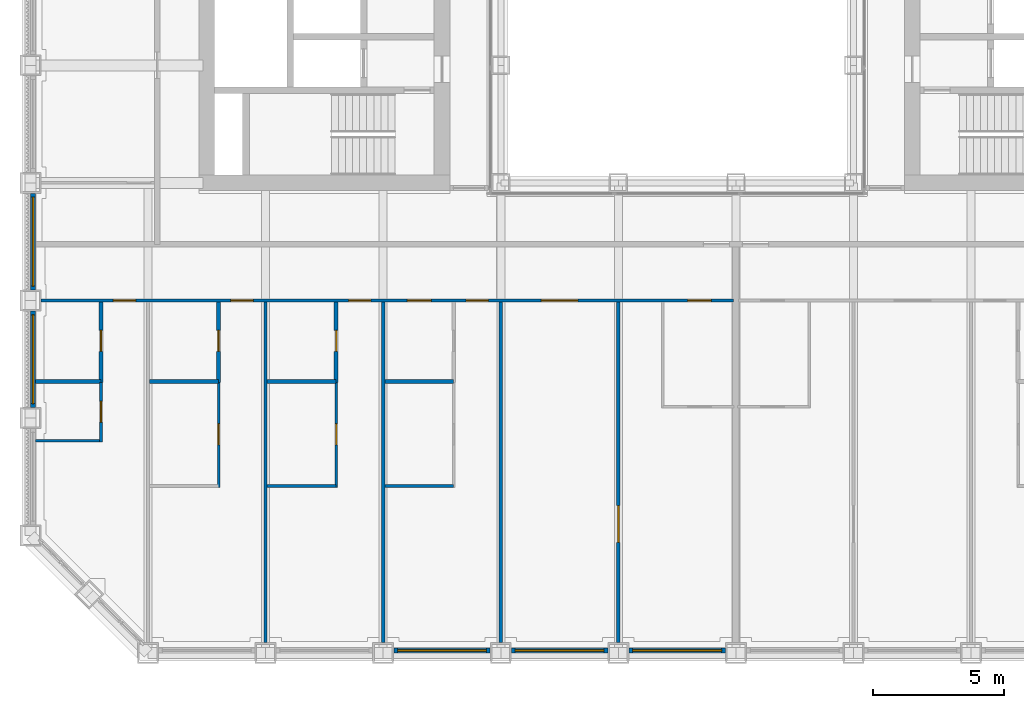
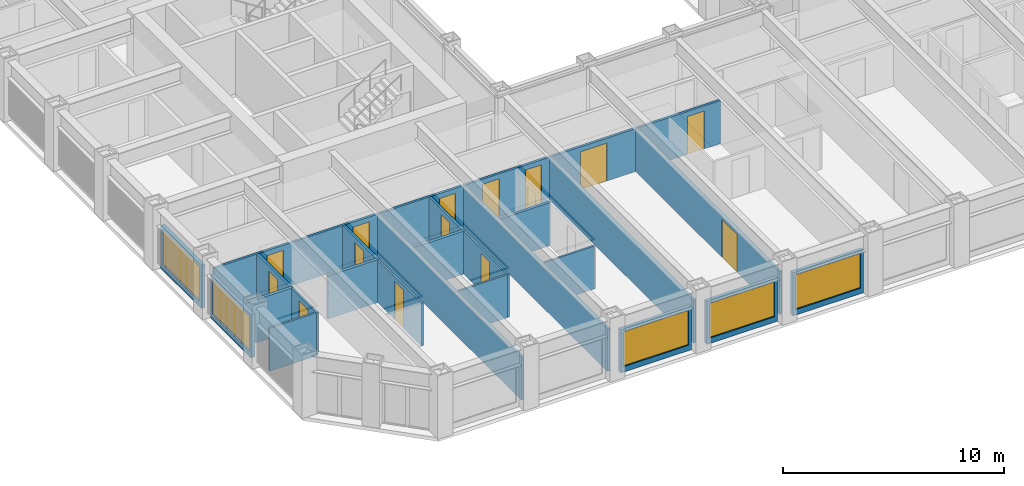
# One storey, part 9 of 21: 23 walls, 14 doors, 5 windows, 19 openings.
"""IFC4 building model written with IfcOpenShell, lengths in metres."""

from ifc_helpers import new_model, si_unit, direction, frame, frame_2d, origin, place, context, subcontext, project, spatial, rectangle, extrude, material, layer, layer_set, type_object, element, fill, save


model = new_model("IFC4")

# Units and contexts
model_context = context("Model", 3, precision=1e-05, world=origin(), true_north=direction((0.0, 1.0)))
body_context = subcontext(model_context, "Body", "Model", "MODEL_VIEW")
ifc_project = project(units=[si_unit("LENGTHUNIT", "METRE"), si_unit("AREAUNIT", "SQUARE_METRE"), si_unit("VOLUMEUNIT", "CUBIC_METRE"), si_unit("PLANEANGLEUNIT", "RADIAN"), si_unit("MASSUNIT", "GRAM", prefix="KILO")], contexts=[model_context])

# Site, building, storey
site_placement = place(None, origin())
site = spatial("IfcSite", under=ifc_project, at=site_placement, CompositionType="ELEMENT")
building_placement = place(site_placement, origin())
building = spatial("IfcBuilding", under=site, at=building_placement, Name="Msasa Ring Tower", CompositionType="ELEMENT")
storey_placement = place(building_placement, frame((0.0, 0.0, 79.0)))
storey = spatial("IfcBuildingStorey", under=building, at=storey_placement, Name="L20", CompositionType="ELEMENT", Elevation=79.0)

# Wall, opening, window
ifc_material_1 = material(Name="Terracotta rainscreen on blockwork", Category="masonry")
ifc_layer_1 = layer(ifc_material_1, 0.199951171875)
ifc_layer_set_1 = layer_set([ifc_layer_1], Name="FW1 TERRACOTTA-LINED INFILL BAY WALL 200")
wall_type_1 = type_object("IfcWallType", Name="FW1 TERRACOTTA-LINED INFILL BAY WALL 200", PredefinedType="SOLIDWALL", material=ifc_layer_set_1)
wall_1_placement = place(storey_placement, frame((-10.844970703125, -24.64990234375, 0.0), z_axis=(0.0, 0.0, 1.0), x_axis=(1.0, 0.0, 0.0)))
wall_1 = element("IfcWall", 1, at=wall_1_placement, inside=storey, type_object=wall_type_1, Name="Infill bay wall S L20 02", PredefinedType="SOLIDWALL", context=body_context, shape_type="SweptSolid", body=[
    extrude(rectangle(XDim=3.68994140625, YDim=0.199951171875, at=frame_2d((1.844970703125, 0.0))), origin(), (0.0, 0.0, 1.0), 2.37890625),
])
opening_1_placement = place(wall_1_placement, frame((0.14501953125, 0.0, 0.300048828125)))
opening_1 = element("IfcOpeningElement", 2, at=opening_1_placement, cuts=wall_1, Name="Opening WN1", PredefinedType="OPENING", context=body_context, shape_type="SweptSolid", body=[
    extrude(rectangle(XDim=3.39990234375, YDim=1.928955078125, at=frame_2d((1.699951171875, 0.96435546875))), frame((0.0, 0.10986328125, 0.0), z_axis=(0.0, -1.0, 0.0), x_axis=(1.0, 0.0, 0.0)), (0.0, 0.0, 1.0), 0.219970703125),
])
ifc_material_2 = material(Name="Aluminium frame with clear glass", Category="aluminium")
window_type = type_object("IfcWindowType", Name="WN1 RESIDENCE WINDOW 3400x1929", PartitioningType="SINGLE_PANEL", PredefinedType="WINDOW", material=ifc_material_2)
window_1_placement = place(opening_1_placement, origin())
window_1 = element("IfcWindow", 3, at=window_1_placement, inside=storey, type_object=window_type, Name="Window S L20 02", OverallHeight=1.928955078125, OverallWidth=3.39990234375, PartitioningType="SINGLE_PANEL", PredefinedType="WINDOW", context=body_context, shape_type="SweptSolid", body=[
    extrude(rectangle(XDim=3.39990234375, YDim=1.928955078125, at=frame_2d((1.699951171875, 0.96435546875))), frame((0.0, 0.030029296875, 0.0), z_axis=(0.0, -1.0, 0.0), x_axis=(1.0, 0.0, 0.0)), (0.0, 0.0, 1.0), 0.06005859375),
])
fill(opening_1, window_1)

wall_2_placement = place(storey_placement, frame((-6.344970703125, -24.64990234375, 0.0), z_axis=(0.0, 0.0, 1.0), x_axis=(1.0, 0.0, 0.0)))
wall_2 = element("IfcWall", 4, at=wall_2_placement, inside=storey, type_object=wall_type_1, Name="Infill bay wall S L20 03", PredefinedType="SOLIDWALL", context=body_context, shape_type="SweptSolid", body=[
    extrude(rectangle(XDim=3.68994140625, YDim=0.199951171875, at=frame_2d((1.844970703125, 0.0))), origin(), (0.0, 0.0, 1.0), 2.37890625),
])
opening_2_placement = place(wall_2_placement, frame((0.14501953125, 0.0, 0.300048828125)))
opening_2 = element("IfcOpeningElement", 5, at=opening_2_placement, cuts=wall_2, Name="Opening WN1", PredefinedType="OPENING", context=body_context, shape_type="SweptSolid", body=[
    extrude(rectangle(XDim=3.39990234375, YDim=1.928955078125, at=frame_2d((1.699951171875, 0.96435546875))), frame((0.0, 0.10986328125, 0.0), z_axis=(0.0, -1.0, 0.0), x_axis=(1.0, 0.0, 0.0)), (0.0, 0.0, 1.0), 0.219970703125),
])
window_2_placement = place(opening_2_placement, origin())
window_2 = element("IfcWindow", 6, at=window_2_placement, inside=storey, type_object=window_type, Name="Window S L20 03", OverallHeight=1.928955078125, OverallWidth=3.39990234375, PartitioningType="SINGLE_PANEL", PredefinedType="WINDOW", context=body_context, shape_type="SweptSolid", body=[
    extrude(rectangle(XDim=3.39990234375, YDim=1.928955078125, at=frame_2d((1.699951171875, 0.96435546875))), frame((0.0, 0.030029296875, 0.0), z_axis=(0.0, -1.0, 0.0), x_axis=(1.0, 0.0, 0.0)), (0.0, 0.0, 1.0), 0.06005859375),
])
fill(opening_2, window_2)

wall_3_placement = place(storey_placement, frame((-1.844970703125, -24.64990234375, 0.0), z_axis=(0.0, 0.0, 1.0), x_axis=(1.0, 0.0, 0.0)))
wall_3 = element("IfcWall", 7, at=wall_3_placement, inside=storey, type_object=wall_type_1, Name="Infill bay wall S L20 04", PredefinedType="SOLIDWALL", context=body_context, shape_type="SweptSolid", body=[
    extrude(rectangle(XDim=3.68994140625, YDim=0.199951171875, at=frame_2d((1.844970703125, 0.0))), origin(), (0.0, 0.0, 1.0), 2.37890625),
])
opening_3_placement = place(wall_3_placement, frame((0.14501953125, 0.0, 0.300048828125)))
opening_3 = element("IfcOpeningElement", 8, at=opening_3_placement, cuts=wall_3, Name="Opening WN1", PredefinedType="OPENING", context=body_context, shape_type="SweptSolid", body=[
    extrude(rectangle(XDim=3.39990234375, YDim=1.928955078125, at=frame_2d((1.699951171875, 0.96435546875))), frame((0.0, 0.10986328125, 0.0), z_axis=(0.0, -1.0, 0.0), x_axis=(1.0, 0.0, 0.0)), (0.0, 0.0, 1.0), 0.219970703125),
])
window_3_placement = place(opening_3_placement, origin())
window_3 = element("IfcWindow", 9, at=window_3_placement, inside=storey, type_object=window_type, Name="Window S L20 04", OverallHeight=1.928955078125, OverallWidth=3.39990234375, PartitioningType="SINGLE_PANEL", PredefinedType="WINDOW", context=body_context, shape_type="SweptSolid", body=[
    extrude(rectangle(XDim=3.39990234375, YDim=1.928955078125, at=frame_2d((1.699951171875, 0.96435546875))), frame((0.0, 0.030029296875, 0.0), z_axis=(0.0, -1.0, 0.0), x_axis=(1.0, 0.0, 0.0)), (0.0, 0.0, 1.0), 0.06005859375),
])
fill(opening_3, window_3)

wall_4_placement = place(storey_placement, frame((-24.64990234375, -15.344970703125, 0.0), z_axis=(0.0, 0.0, 1.0), x_axis=(0.0, 1.0, 0.0)))
wall_4 = element("IfcWall", 10, at=wall_4_placement, inside=storey, type_object=wall_type_1, Name="Infill bay wall W L20 34", PredefinedType="SOLIDWALL", context=body_context, shape_type="SweptSolid", body=[
    extrude(rectangle(XDim=3.68994140625, YDim=0.199951171875, at=frame_2d((1.844970703125, 0.0))), origin(), (0.0, 0.0, 1.0), 2.37890625),
])
opening_4_placement = place(wall_4_placement, frame((0.14501953125, 0.0, 0.300048828125)))
opening_4 = element("IfcOpeningElement", 11, at=opening_4_placement, cuts=wall_4, Name="Opening WN1", PredefinedType="OPENING", context=body_context, shape_type="SweptSolid", body=[
    extrude(rectangle(XDim=3.39990234375, YDim=1.928955078125, at=frame_2d((1.699951171875, 0.96435546875))), frame((0.0, 0.10986328125, 0.0), z_axis=(0.0, -1.0, 0.0), x_axis=(1.0, 0.0, 0.0)), (0.0, 0.0, 1.0), 0.219970703125),
])
window_4_placement = place(opening_4_placement, origin())
window_4 = element("IfcWindow", 12, at=window_4_placement, inside=storey, type_object=window_type, Name="Window W L20 34", OverallHeight=1.928955078125, OverallWidth=3.39990234375, PartitioningType="SINGLE_PANEL", PredefinedType="WINDOW", context=body_context, shape_type="SweptSolid", body=[
    extrude(rectangle(XDim=3.39990234375, YDim=1.928955078125, at=frame_2d((1.699951171875, 0.96435546875))), frame((0.0, 0.030029296875, 0.0), z_axis=(0.0, -1.0, 0.0), x_axis=(1.0, 0.0, 0.0)), (0.0, 0.0, 1.0), 0.06005859375),
])
fill(opening_4, window_4)

wall_5_placement = place(storey_placement, frame((-24.64990234375, -10.844970703125, 0.0), z_axis=(0.0, 0.0, 1.0), x_axis=(0.0, 1.0, 0.0)))
wall_5 = element("IfcWall", 13, at=wall_5_placement, inside=storey, type_object=wall_type_1, Name="Infill bay wall W L20 35", PredefinedType="SOLIDWALL", context=body_context, shape_type="SweptSolid", body=[
    extrude(rectangle(XDim=3.68994140625, YDim=0.199951171875, at=frame_2d((1.844970703125, 0.0))), origin(), (0.0, 0.0, 1.0), 2.37890625),
])
opening_5_placement = place(wall_5_placement, frame((0.14501953125, 0.0, 0.300048828125)))
opening_5 = element("IfcOpeningElement", 14, at=opening_5_placement, cuts=wall_5, Name="Opening WN1", PredefinedType="OPENING", context=body_context, shape_type="SweptSolid", body=[
    extrude(rectangle(XDim=3.39990234375, YDim=1.928955078125, at=frame_2d((1.699951171875, 0.96435546875))), frame((0.0, 0.10986328125, 0.0), z_axis=(0.0, -1.0, 0.0), x_axis=(1.0, 0.0, 0.0)), (0.0, 0.0, 1.0), 0.219970703125),
])
window_5_placement = place(opening_5_placement, origin())
window_5 = element("IfcWindow", 15, at=window_5_placement, inside=storey, type_object=window_type, Name="Window W L20 35", OverallHeight=1.928955078125, OverallWidth=3.39990234375, PartitioningType="SINGLE_PANEL", PredefinedType="WINDOW", context=body_context, shape_type="SweptSolid", body=[
    extrude(rectangle(XDim=3.39990234375, YDim=1.928955078125, at=frame_2d((1.699951171875, 0.96435546875))), frame((0.0, 0.030029296875, 0.0), z_axis=(0.0, -1.0, 0.0), x_axis=(1.0, 0.0, 0.0)), (0.0, 0.0, 1.0), 0.06005859375),
])
fill(opening_5, window_5)

# Wall
ifc_material_3 = material(Name="Gypsum board on steel studs", Category="steel")
ifc_layer_2 = layer(ifc_material_3, 0.10009765625)
ifc_layer_set_2 = layer_set([ifc_layer_2], Name="PT2 STUD PARTITION 100")
wall_type_2 = type_object("IfcWallType", Name="PT2 STUD PARTITION 100", PredefinedType="PARTITIONING", material=ifc_layer_set_2)
wall_6_placement = place(storey_placement, frame((-11.18994140625, -18.35302734375, 0.0), z_axis=(0.0, 0.0, 1.0), x_axis=(1.0, 0.0, 0.0)))
element("IfcWall", 16, at=wall_6_placement, inside=storey, type_object=wall_type_2, Name="Partition L20-VSWWY1", PredefinedType="PARTITIONING", context=body_context, shape_type="SweptSolid", body=[
    extrude(rectangle(XDim=2.639892578125, YDim=0.10009765625, at=frame_2d((1.31982421875, 0.0))), origin(), (0.0, 0.0, 1.0), 2.373291015625),
])

# Wall, opening, door
wall_7_placement = place(storey_placement, frame((-13.050048828125, -18.403076171875, 0.0), z_axis=(0.0, 0.0, 1.0), x_axis=(0.0, 1.0, 0.0)))
wall_7 = element("IfcWall", 17, at=wall_7_placement, inside=storey, type_object=wall_type_2, Name="Partition L20-VSWWX2", PredefinedType="PARTITIONING", context=body_context, shape_type="SweptSolid", body=[
    extrude(rectangle(XDim=4.003173828125, YDim=0.10009765625, at=frame_2d((2.00146484375, 0.0))), origin(), (0.0, 0.0, 1.0), 2.373291015625),
])
opening_6_placement = place(wall_7_placement, frame((1.626708984375, 0.0, 0.0)))
opening_6 = element("IfcOpeningElement", 18, at=opening_6_placement, cuts=wall_7, Name="Opening RF-081", PredefinedType="OPENING", context=body_context, shape_type="SweptSolid", body=[
    extrude(rectangle(XDim=0.800048828125, YDim=2.10009765625, at=frame_2d((0.39990234375, 1.050048828125))), frame((0.0, 0.06005859375, 0.0), z_axis=(0.0, -1.0, 0.0), x_axis=(1.0, 0.0, 0.0)), (0.0, 0.0, 1.0), 0.1201171875),
])
ifc_material_4 = material(Name="Timber door leaf in a steel frame", Category="steel")
door_type_1 = type_object("IfcDoorType", Name="D60 DRESSING ROOM DOOR 800x2100", OperationType="SINGLE_SWING_LEFT", PredefinedType="DOOR", material=ifc_material_4)
door_1_placement = place(opening_6_placement, origin())
door_1 = element("IfcDoor", 19, at=door_1_placement, inside=storey, type_object=door_type_1, Name="Door L20-VSWW2", OperationType="SINGLE_SWING_LEFT", OverallHeight=2.10009765625, OverallWidth=0.800048828125, PredefinedType="DOOR", context=body_context, shape_type="SweptSolid", body=[
    extrude(rectangle(XDim=0.800048828125, YDim=2.10009765625, at=frame_2d((0.39990234375, 1.050048828125))), frame((0.0, 0.02490234375, 0.0), z_axis=(0.0, -1.0, 0.0), x_axis=(1.0, 0.0, 0.0)), (0.0, 0.0, 1.0), 0.050048828125),
])
fill(opening_6, door_1)

# Wall
wall_8_placement = place(storey_placement, frame((-15.68994140625, -18.35302734375, 0.0), z_axis=(0.0, 0.0, 1.0), x_axis=(1.0, 0.0, 0.0)))
element("IfcWall", 20, at=wall_8_placement, inside=storey, type_object=wall_type_2, Name="Partition L20-VSWWY2", PredefinedType="PARTITIONING", context=body_context, shape_type="SweptSolid", body=[
    extrude(rectangle(XDim=2.639892578125, YDim=0.10009765625, at=frame_2d((1.31982421875, 0.0))), origin(), (0.0, 0.0, 1.0), 2.373291015625),
])

# Wall, opening, door
wall_9_placement = place(storey_placement, frame((-17.550048828125, -18.400390625, 0.0), z_axis=(0.0, 0.0, 1.0), x_axis=(0.0, 1.0, 0.0)))
wall_9 = element("IfcWall", 21, at=wall_9_placement, inside=storey, type_object=wall_type_2, Name="Partition L20-VSWWX3", PredefinedType="PARTITIONING", context=body_context, shape_type="SweptSolid", body=[
    extrude(rectangle(XDim=4.00048828125, YDim=0.10009765625, at=frame_2d((2.000244140625, 0.0))), origin(), (0.0, 0.0, 1.0), 2.373291015625),
])
opening_7_placement = place(wall_9_placement, frame((1.625244140625, 0.0, 0.0)))
opening_7 = element("IfcOpeningElement", 22, at=opening_7_placement, cuts=wall_9, Name="Opening RF-080", PredefinedType="OPENING", context=body_context, shape_type="SweptSolid", body=[
    extrude(rectangle(XDim=0.800048828125, YDim=2.10009765625, at=frame_2d((0.39990234375, 1.050048828125))), frame((0.0, 0.06005859375, 0.0), z_axis=(0.0, -1.0, 0.0), x_axis=(1.0, 0.0, 0.0)), (0.0, 0.0, 1.0), 0.1201171875),
])
door_2_placement = place(opening_7_placement, origin())
door_2 = element("IfcDoor", 23, at=door_2_placement, inside=storey, type_object=door_type_1, Name="Door L20-VSWW3", OperationType="SINGLE_SWING_LEFT", OverallHeight=2.10009765625, OverallWidth=0.800048828125, PredefinedType="DOOR", context=body_context, shape_type="SweptSolid", body=[
    extrude(rectangle(XDim=0.800048828125, YDim=2.10009765625, at=frame_2d((0.39990234375, 1.050048828125))), frame((0.0, 0.02490234375, 0.0), z_axis=(0.0, -1.0, 0.0), x_axis=(1.0, 0.0, 0.0)), (0.0, 0.0, 1.0), 0.050048828125),
])
fill(opening_7, door_2)

wall_10_placement = place(storey_placement, frame((-22.050048828125, -16.673583984375, 0.0), z_axis=(0.0, 0.0, 1.0), x_axis=(0.0, 1.0, 0.0)))
wall_10 = element("IfcWall", 24, at=wall_10_placement, inside=storey, type_object=wall_type_2, Name="Partition L20-VSWWX4", PredefinedType="PARTITIONING", context=body_context, shape_type="SweptSolid", body=[
    extrude(rectangle(XDim=2.273681640625, YDim=0.10009765625, at=frame_2d((1.13671875, 0.0))), origin(), (0.0, 0.0, 1.0), 2.373291015625),
])
opening_8_placement = place(wall_10_placement, frame((0.76171875, 0.0, 0.0)))
opening_8 = element("IfcOpeningElement", 25, at=opening_8_placement, cuts=wall_10, Name="Opening RF-078", PredefinedType="OPENING", context=body_context, shape_type="SweptSolid", body=[
    extrude(rectangle(XDim=0.800048828125, YDim=2.10009765625, at=frame_2d((0.39990234375, 1.050048828125))), frame((0.0, 0.06005859375, 0.0), z_axis=(0.0, -1.0, 0.0), x_axis=(1.0, 0.0, 0.0)), (0.0, 0.0, 1.0), 0.1201171875),
])
door_3_placement = place(opening_8_placement, origin())
door_3 = element("IfcDoor", 26, at=door_3_placement, inside=storey, type_object=door_type_1, Name="Door L20-VSWW4", OperationType="SINGLE_SWING_LEFT", OverallHeight=2.10009765625, OverallWidth=0.800048828125, PredefinedType="DOOR", context=body_context, shape_type="SweptSolid", body=[
    extrude(rectangle(XDim=0.800048828125, YDim=2.10009765625, at=frame_2d((0.39990234375, 1.050048828125))), frame((0.0, 0.02490234375, 0.0), z_axis=(0.0, -1.0, 0.0), x_axis=(1.0, 0.0, 0.0)), (0.0, 0.0, 1.0), 0.050048828125),
])
fill(opening_8, door_3)

# Walls
wall_11_placement = place(storey_placement, frame((-24.550048828125, -16.62353515625, 0.0), z_axis=(0.0, 0.0, 1.0), x_axis=(1.0, 0.0, 0.0)))
element("IfcWall", 27, at=wall_11_placement, inside=storey, type_object=wall_type_2, Name="Partition L20-VSWWY4", PredefinedType="PARTITIONING", context=body_context, shape_type="SweptSolid", body=[
    extrude(rectangle(XDim=2.5, YDim=0.10009765625, at=frame_2d((1.25, 0.0))), origin(), (0.0, 0.0, 1.0), 2.373291015625),
])
ifc_material_5 = material(Name="Moisture-resistant board on steel studs with a concealed cistern and pipe void, tiled", Category="steel")
ifc_layer_3 = layer(ifc_material_5, 0.14990234375)
ifc_layer_set_3 = layer_set([ifc_layer_3], Name="PT4 BATHROOM WET WALL 150")
wall_type_3 = type_object("IfcWallType", Name="PT4 BATHROOM WET WALL 150", PredefinedType="PARTITIONING", material=ifc_layer_set_3)
wall_12_placement = place(storey_placement, frame((-11.18994140625, -14.35009765625, 0.0), z_axis=(0.0, 0.0, 1.0), x_axis=(1.0, 0.0, 0.0)))
element("IfcWall", 28, at=wall_12_placement, inside=storey, type_object=wall_type_3, Name="Partition L20-VSWBY1", PredefinedType="PARTITIONING", context=body_context, shape_type="SweptSolid", body=[
    extrude(rectangle(XDim=2.639892578125, YDim=0.14990234375, at=frame_2d((1.31982421875, 0.0))), origin(), (0.0, 0.0, 1.0), 2.373291015625),
])

# Wall, opening, door
wall_13_placement = place(storey_placement, frame((-13.050048828125, -14.39990234375, 0.0), z_axis=(0.0, 0.0, 1.0), x_axis=(0.0, 1.0, 0.0)))
wall_13 = element("IfcWall", 29, at=wall_13_placement, inside=storey, type_object=wall_type_3, Name="Partition L20-VSWBX2", PredefinedType="PARTITIONING", context=body_context, shape_type="SweptSolid", body=[
    extrude(rectangle(XDim=3.08740234375, YDim=0.14990234375, at=frame_2d((1.543701171875, 0.0))), origin(), (0.0, 0.0, 1.0), 2.373291015625),
])
opening_9_placement = place(wall_13_placement, frame((1.199951171875, 0.0, 0.0)))
opening_9 = element("IfcOpeningElement", 30, at=opening_9_placement, cuts=wall_13, Name="Opening RF-071", PredefinedType="OPENING", context=body_context, shape_type="SweptSolid", body=[
    extrude(rectangle(XDim=0.800048828125, YDim=2.10009765625, at=frame_2d((0.39990234375, 1.050048828125))), frame((0.0, 0.0849609375, 0.0), z_axis=(0.0, -1.0, 0.0), x_axis=(1.0, 0.0, 0.0)), (0.0, 0.0, 1.0), 0.169921875),
])
ifc_material_6 = material(Name="Timber door leaf in a steel frame", Category="steel")
door_type_2 = type_object("IfcDoorType", Name="D21 POCKET SLIDING BATHROOM DOOR 800x2100", OperationType="SINGLE_SWING_LEFT", PredefinedType="DOOR", material=ifc_material_6)
door_4_placement = place(opening_9_placement, origin())
door_4 = element("IfcDoor", 31, at=door_4_placement, inside=storey, type_object=door_type_2, Name="Door L20-VSWB2", OperationType="SINGLE_SWING_RIGHT", OverallHeight=2.10009765625, OverallWidth=0.800048828125, PredefinedType="DOOR", context=body_context, shape_type="SweptSolid", body=[
    extrude(rectangle(XDim=0.800048828125, YDim=2.10009765625, at=frame_2d((0.39990234375, 1.050048828125))), frame((0.0, 0.02490234375, 0.0), z_axis=(0.0, -1.0, 0.0), x_axis=(1.0, 0.0, 0.0)), (0.0, 0.0, 1.0), 0.050048828125),
])
fill(opening_9, door_4)

# Wall
wall_14_placement = place(storey_placement, frame((-15.68994140625, -14.35009765625, 0.0), z_axis=(0.0, 0.0, 1.0), x_axis=(1.0, 0.0, 0.0)))
element("IfcWall", 32, at=wall_14_placement, inside=storey, type_object=wall_type_3, Name="Partition L20-VSWBY2", PredefinedType="PARTITIONING", context=body_context, shape_type="SweptSolid", body=[
    extrude(rectangle(XDim=2.639892578125, YDim=0.14990234375, at=frame_2d((1.31982421875, 0.0))), origin(), (0.0, 0.0, 1.0), 2.373291015625),
])

# Wall, opening, door
wall_15_placement = place(storey_placement, frame((-17.550048828125, -14.39990234375, 0.0), z_axis=(0.0, 0.0, 1.0), x_axis=(0.0, 1.0, 0.0)))
wall_15 = element("IfcWall", 33, at=wall_15_placement, inside=storey, type_object=wall_type_3, Name="Partition L20-VSWBX3", PredefinedType="PARTITIONING", context=body_context, shape_type="SweptSolid", body=[
    extrude(rectangle(XDim=3.08740234375, YDim=0.14990234375, at=frame_2d((1.543701171875, 0.0))), origin(), (0.0, 0.0, 1.0), 2.373291015625),
])
opening_10_placement = place(wall_15_placement, frame((1.199951171875, 0.0, 0.0)))
opening_10 = element("IfcOpeningElement", 34, at=opening_10_placement, cuts=wall_15, Name="Opening RF-070", PredefinedType="OPENING", context=body_context, shape_type="SweptSolid", body=[
    extrude(rectangle(XDim=0.800048828125, YDim=2.10009765625, at=frame_2d((0.39990234375, 1.050048828125))), frame((0.0, 0.0849609375, 0.0), z_axis=(0.0, -1.0, 0.0), x_axis=(1.0, 0.0, 0.0)), (0.0, 0.0, 1.0), 0.169921875),
])
door_5_placement = place(opening_10_placement, origin())
door_5 = element("IfcDoor", 35, at=door_5_placement, inside=storey, type_object=door_type_2, Name="Door L20-VSWB3", OperationType="SINGLE_SWING_RIGHT", OverallHeight=2.10009765625, OverallWidth=0.800048828125, PredefinedType="DOOR", context=body_context, shape_type="SweptSolid", body=[
    extrude(rectangle(XDim=0.800048828125, YDim=2.10009765625, at=frame_2d((0.39990234375, 1.050048828125))), frame((0.0, 0.02490234375, 0.0), z_axis=(0.0, -1.0, 0.0), x_axis=(1.0, 0.0, 0.0)), (0.0, 0.0, 1.0), 0.050048828125),
])
fill(opening_10, door_5)

# Wall
wall_16_placement = place(storey_placement, frame((-20.18994140625, -14.35009765625, 0.0), z_axis=(0.0, 0.0, 1.0), x_axis=(1.0, 0.0, 0.0)))
element("IfcWall", 36, at=wall_16_placement, inside=storey, type_object=wall_type_3, Name="Partition L20-VSWBY3", PredefinedType="PARTITIONING", context=body_context, shape_type="SweptSolid", body=[
    extrude(rectangle(XDim=2.639892578125, YDim=0.14990234375, at=frame_2d((1.31982421875, 0.0))), origin(), (0.0, 0.0, 1.0), 2.373291015625),
])

# Wall, opening, door
wall_17_placement = place(storey_placement, frame((-22.050048828125, -14.39990234375, 0.0), z_axis=(0.0, 0.0, 1.0), x_axis=(0.0, 1.0, 0.0)))
wall_17 = element("IfcWall", 37, at=wall_17_placement, inside=storey, type_object=wall_type_3, Name="Partition L20-VSWBX4", PredefinedType="PARTITIONING", context=body_context, shape_type="SweptSolid", body=[
    extrude(rectangle(XDim=3.08740234375, YDim=0.14990234375, at=frame_2d((1.543701171875, 0.0))), origin(), (0.0, 0.0, 1.0), 2.373291015625),
])
opening_11_placement = place(wall_17_placement, frame((1.199951171875, 0.0, 0.0)))
opening_11 = element("IfcOpeningElement", 38, at=opening_11_placement, cuts=wall_17, Name="Opening RF-069", PredefinedType="OPENING", context=body_context, shape_type="SweptSolid", body=[
    extrude(rectangle(XDim=0.800048828125, YDim=2.10009765625, at=frame_2d((0.39990234375, 1.050048828125))), frame((0.0, 0.0849609375, 0.0), z_axis=(0.0, -1.0, 0.0), x_axis=(1.0, 0.0, 0.0)), (0.0, 0.0, 1.0), 0.169921875),
])
door_6_placement = place(opening_11_placement, origin())
door_6 = element("IfcDoor", 39, at=door_6_placement, inside=storey, type_object=door_type_2, Name="Door L20-VSWB4", OperationType="SINGLE_SWING_RIGHT", OverallHeight=2.10009765625, OverallWidth=0.800048828125, PredefinedType="DOOR", context=body_context, shape_type="SweptSolid", body=[
    extrude(rectangle(XDim=0.800048828125, YDim=2.10009765625, at=frame_2d((0.39990234375, 1.050048828125))), frame((0.0, 0.02490234375, 0.0), z_axis=(0.0, -1.0, 0.0), x_axis=(1.0, 0.0, 0.0)), (0.0, 0.0, 1.0), 0.050048828125),
])
fill(opening_11, door_6)

# Wall
wall_18_placement = place(storey_placement, frame((-24.550048828125, -14.35009765625, 0.0), z_axis=(0.0, 0.0, 1.0), x_axis=(1.0, 0.0, 0.0)))
element("IfcWall", 40, at=wall_18_placement, inside=storey, type_object=wall_type_3, Name="Partition L20-VSWBY4", PredefinedType="PARTITIONING", context=body_context, shape_type="SweptSolid", body=[
    extrude(rectangle(XDim=2.5, YDim=0.14990234375, at=frame_2d((1.25, 0.0))), origin(), (0.0, 0.0, 1.0), 2.373291015625),
])

# Wall, openings, doors
ifc_material_7 = material(Name="Two layers of acoustic board each face on steel studs, mineral wool", Category="steel")
ifc_layer_4 = layer(ifc_material_7, 0.125)
ifc_layer_set_4 = layer_set([ifc_layer_4], Name="PT6 ACOUSTIC DOUBLE-BOARD PARTITION 125")
wall_type_4 = type_object("IfcWallType", Name="PT6 ACOUSTIC DOUBLE-BOARD PARTITION 125", PredefinedType="PARTITIONING", material=ifc_layer_set_4)
wall_19_placement = place(storey_placement, frame((-24.35009765625, -11.25, 0.0), z_axis=(0.0, 0.0, 1.0), x_axis=(1.0, 0.0, 0.0)))
wall_19 = element("IfcWall", 41, at=wall_19_placement, inside=storey, type_object=wall_type_4, Name="Partition L20-VSWHY", PredefinedType="PARTITIONING", context=body_context, shape_type="SweptSolid", body=[
    extrude(rectangle(XDim=26.5, YDim=0.125, at=frame_2d((13.25, 0.0))), origin(), (0.0, 0.0, 1.0), 2.373291015625),
])
opening_12_placement = place(wall_19_placement, frame((24.75, 0.0, 0.0)))
opening_12 = element("IfcOpeningElement", 42, at=opening_12_placement, cuts=wall_19, Name="Opening RF-062", PredefinedType="OPENING", context=body_context, shape_type="SweptSolid", body=[
    extrude(rectangle(XDim=0.89990234375, YDim=2.10009765625, at=frame_2d((0.449951171875, 1.050048828125))), frame((0.0, 0.072509765625, 0.0), z_axis=(0.0, -1.0, 0.0), x_axis=(1.0, 0.0, 0.0)), (0.0, 0.0, 1.0), 0.14501953125),
])
opening_13_placement = place(wall_19_placement, frame((19.14990234375, 0.0, 0.0)))
opening_13 = element("IfcOpeningElement", 43, at=opening_13_placement, cuts=wall_19, Name="Opening RF-061", PredefinedType="OPENING", context=body_context, shape_type="SweptSolid", body=[
    extrude(rectangle(XDim=1.39990234375, YDim=2.10009765625, at=frame_2d((0.699951171875, 1.050048828125))), frame((0.0, 0.072509765625, 0.0), z_axis=(0.0, -1.0, 0.0), x_axis=(1.0, 0.0, 0.0)), (0.0, 0.0, 1.0), 0.14501953125),
])
opening_14_placement = place(wall_19_placement, frame((16.27490234375, 0.0, 0.0)))
opening_14 = element("IfcOpeningElement", 44, at=opening_14_placement, cuts=wall_19, Name="Opening RF-060", PredefinedType="OPENING", context=body_context, shape_type="SweptSolid", body=[
    extrude(rectangle(XDim=0.85009765625, YDim=2.10009765625, at=frame_2d((0.425048828125, 1.050048828125))), frame((0.0, 0.072509765625, 0.0), z_axis=(0.0, -1.0, 0.0), x_axis=(1.0, 0.0, 0.0)), (0.0, 0.0, 1.0), 0.14501953125),
])
opening_15_placement = place(wall_19_placement, frame((14.030029296875, 0.0, 0.0)))
opening_15 = element("IfcOpeningElement", 45, at=opening_15_placement, cuts=wall_19, Name="Opening RF-059", PredefinedType="OPENING", context=body_context, shape_type="SweptSolid", body=[
    extrude(rectangle(XDim=0.89990234375, YDim=2.10009765625, at=frame_2d((0.449951171875, 1.050048828125))), frame((0.0, 0.072509765625, 0.0), z_axis=(0.0, -1.0, 0.0), x_axis=(1.0, 0.0, 0.0)), (0.0, 0.0, 1.0), 0.14501953125),
])
opening_16_placement = place(wall_19_placement, frame((11.77490234375, 0.0, 0.0)))
opening_16 = element("IfcOpeningElement", 46, at=opening_16_placement, cuts=wall_19, Name="Opening RF-058", PredefinedType="OPENING", context=body_context, shape_type="SweptSolid", body=[
    extrude(rectangle(XDim=0.85009765625, YDim=2.10009765625, at=frame_2d((0.425048828125, 1.050048828125))), frame((0.0, 0.072509765625, 0.0), z_axis=(0.0, -1.0, 0.0), x_axis=(1.0, 0.0, 0.0)), (0.0, 0.0, 1.0), 0.14501953125),
])
opening_17_placement = place(wall_19_placement, frame((7.27490234375, 0.0, 0.0)))
opening_17 = element("IfcOpeningElement", 47, at=opening_17_placement, cuts=wall_19, Name="Opening RF-057", PredefinedType="OPENING", context=body_context, shape_type="SweptSolid", body=[
    extrude(rectangle(XDim=0.85009765625, YDim=2.10009765625, at=frame_2d((0.425048828125, 1.050048828125))), frame((0.0, 0.072509765625, 0.0), z_axis=(0.0, -1.0, 0.0), x_axis=(1.0, 0.0, 0.0)), (0.0, 0.0, 1.0), 0.14501953125),
])
opening_18_placement = place(wall_19_placement, frame((2.77490234375, 0.0, 0.0)))
opening_18 = element("IfcOpeningElement", 48, at=opening_18_placement, cuts=wall_19, Name="Opening RF-056", PredefinedType="OPENING", context=body_context, shape_type="SweptSolid", body=[
    extrude(rectangle(XDim=0.85009765625, YDim=2.10009765625, at=frame_2d((0.425048828125, 1.050048828125))), frame((0.0, 0.072509765625, 0.0), z_axis=(0.0, -1.0, 0.0), x_axis=(1.0, 0.0, 0.0)), (0.0, 0.0, 1.0), 0.14501953125),
])
ifc_material_8 = material(Name="Timber door leaf in a steel frame", Category="steel")
door_type_3 = type_object("IfcDoorType", Name="D14 BEDROOM DOOR 850x2100", OperationType="SINGLE_SWING_LEFT", PredefinedType="DOOR", material=ifc_material_8)
door_7_placement = place(opening_14_placement, origin())
door_7 = element("IfcDoor", 49, at=door_7_placement, inside=storey, type_object=door_type_3, Name="Door L20-VSWR1", OperationType="SINGLE_SWING_RIGHT", OverallHeight=2.10009765625, OverallWidth=0.85009765625, PredefinedType="DOOR", context=body_context, shape_type="SweptSolid", body=[
    extrude(rectangle(XDim=0.85009765625, YDim=2.10009765625, at=frame_2d((0.425048828125, 1.050048828125))), frame((0.0, 0.02490234375, 0.0), z_axis=(0.0, -1.0, 0.0), x_axis=(1.0, 0.0, 0.0)), (0.0, 0.0, 1.0), 0.050048828125),
])
fill(opening_14, door_7)
door_8_placement = place(opening_16_placement, origin())
door_8 = element("IfcDoor", 50, at=door_8_placement, inside=storey, type_object=door_type_3, Name="Door L20-VSWR2", OperationType="SINGLE_SWING_LEFT", OverallHeight=2.10009765625, OverallWidth=0.85009765625, PredefinedType="DOOR", context=body_context, shape_type="SweptSolid", body=[
    extrude(rectangle(XDim=0.85009765625, YDim=2.10009765625, at=frame_2d((0.425048828125, 1.050048828125))), frame((0.0, 0.02490234375, 0.0), z_axis=(0.0, -1.0, 0.0), x_axis=(1.0, 0.0, 0.0)), (0.0, 0.0, 1.0), 0.050048828125),
])
fill(opening_16, door_8)
door_9_placement = place(opening_17_placement, origin())
door_9 = element("IfcDoor", 51, at=door_9_placement, inside=storey, type_object=door_type_3, Name="Door L20-VSWR3", OperationType="SINGLE_SWING_LEFT", OverallHeight=2.10009765625, OverallWidth=0.85009765625, PredefinedType="DOOR", context=body_context, shape_type="SweptSolid", body=[
    extrude(rectangle(XDim=0.85009765625, YDim=2.10009765625, at=frame_2d((0.425048828125, 1.050048828125))), frame((0.0, 0.02490234375, 0.0), z_axis=(0.0, -1.0, 0.0), x_axis=(1.0, 0.0, 0.0)), (0.0, 0.0, 1.0), 0.050048828125),
])
fill(opening_17, door_9)
door_10_placement = place(opening_18_placement, origin())
door_10 = element("IfcDoor", 52, at=door_10_placement, inside=storey, type_object=door_type_3, Name="Door L20-VSWR4", OperationType="SINGLE_SWING_LEFT", OverallHeight=2.10009765625, OverallWidth=0.85009765625, PredefinedType="DOOR", context=body_context, shape_type="SweptSolid", body=[
    extrude(rectangle(XDim=0.85009765625, YDim=2.10009765625, at=frame_2d((0.425048828125, 1.050048828125))), frame((0.0, 0.02490234375, 0.0), z_axis=(0.0, -1.0, 0.0), x_axis=(1.0, 0.0, 0.0)), (0.0, 0.0, 1.0), 0.050048828125),
])
fill(opening_18, door_10)
ifc_material_9 = material(Name="Timber door leaf in a steel frame", Category="steel")
door_type_4 = type_object("IfcDoorType", Name="D15 LIVING ROOM PAIR OF GLAZED DOORS 1400x2100", OperationType="SINGLE_SWING_LEFT", PredefinedType="DOOR", material=ifc_material_9)
door_11_placement = place(opening_13_placement, origin())
door_11 = element("IfcDoor", 53, at=door_11_placement, inside=storey, type_object=door_type_4, Name="Door L20-VSWL", OperationType="SINGLE_SWING_RIGHT", OverallHeight=2.10009765625, OverallWidth=1.39990234375, PredefinedType="DOOR", context=body_context, shape_type="SweptSolid", body=[
    extrude(rectangle(XDim=1.39990234375, YDim=2.10009765625, at=frame_2d((0.699951171875, 1.050048828125))), frame((0.0, 0.02490234375, 0.0), z_axis=(0.0, -1.0, 0.0), x_axis=(1.0, 0.0, 0.0)), (0.0, 0.0, 1.0), 0.050048828125),
])
fill(opening_13, door_11)
ifc_material_10 = material(Name="Timber door leaf in a steel frame", Category="steel")
door_type_5 = type_object("IfcDoorType", Name="D22 INTERNAL HALL DOOR 900x2100", OperationType="SINGLE_SWING_LEFT", PredefinedType="DOOR", material=ifc_material_10)
door_12_placement = place(opening_12_placement, origin())
door_12 = element("IfcDoor", 54, at=door_12_placement, inside=storey, type_object=door_type_5, Name="Door L20-VSWK", OperationType="SINGLE_SWING_RIGHT", OverallHeight=2.10009765625, OverallWidth=0.89990234375, PredefinedType="DOOR", context=body_context, shape_type="SweptSolid", body=[
    extrude(rectangle(XDim=0.89990234375, YDim=2.10009765625, at=frame_2d((0.449951171875, 1.050048828125))), frame((0.0, 0.02490234375, 0.0), z_axis=(0.0, -1.0, 0.0), x_axis=(1.0, 0.0, 0.0)), (0.0, 0.0, 1.0), 0.050048828125),
])
fill(opening_12, door_12)
ifc_material_11 = material(Name="Timber door leaf in a steel frame", Category="steel")
door_type_6 = type_object("IfcDoorType", Name="D3 BATHROOM DOOR 900x2100", OperationType="SINGLE_SWING_LEFT", PredefinedType="DOOR", material=ifc_material_11)
door_13_placement = place(opening_15_placement, origin())
door_13 = element("IfcDoor", 55, at=door_13_placement, inside=storey, type_object=door_type_6, Name="Door L20-VSWBH1", OperationType="SINGLE_SWING_RIGHT", OverallHeight=2.10009765625, OverallWidth=0.89990234375, PredefinedType="DOOR", context=body_context, shape_type="SweptSolid", body=[
    extrude(rectangle(XDim=0.89990234375, YDim=2.10009765625, at=frame_2d((0.449951171875, 1.050048828125))), frame((0.0, 0.02490234375, 0.0), z_axis=(0.0, -1.0, 0.0), x_axis=(1.0, 0.0, 0.0)), (0.0, 0.0, 1.0), 0.050048828125),
])
fill(opening_15, door_13)

# Wall, opening, door
wall_20_placement = place(storey_placement, frame((-2.25, -24.35009765625, 0.0), z_axis=(0.0, 0.0, 1.0), x_axis=(0.0, 1.0, 0.0)))
wall_20 = element("IfcWall", 56, at=wall_20_placement, inside=storey, type_object=wall_type_4, Name="Partition L20-VSWLM", PredefinedType="PARTITIONING", context=body_context, shape_type="SweptSolid", body=[
    extrude(rectangle(XDim=13.03759765625, YDim=0.125, at=frame_2d((6.518798828125, 0.0))), origin(), (0.0, 0.0, 1.0), 2.373291015625),
])
opening_19_placement = place(wall_20_placement, frame((3.84375, 0.0, 0.0)))
opening_19 = element("IfcOpeningElement", 57, at=opening_19_placement, cuts=wall_20, Name="Opening RF-085", PredefinedType="OPENING", context=body_context, shape_type="SweptSolid", body=[
    extrude(rectangle(XDim=1.39990234375, YDim=2.10009765625, at=frame_2d((0.699951171875, 1.050048828125))), frame((0.0, 0.072509765625, 0.0), z_axis=(0.0, -1.0, 0.0), x_axis=(1.0, 0.0, 0.0)), (0.0, 0.0, 1.0), 0.14501953125),
])
door_14_placement = place(opening_19_placement, origin())
door_14 = element("IfcDoor", 58, at=door_14_placement, inside=storey, type_object=door_type_4, Name="Door L20-VSWLD", OperationType="SINGLE_SWING_LEFT", OverallHeight=2.10009765625, OverallWidth=1.39990234375, PredefinedType="DOOR", context=body_context, shape_type="SweptSolid", body=[
    extrude(rectangle(XDim=1.39990234375, YDim=2.10009765625, at=frame_2d((0.699951171875, 1.050048828125))), frame((0.0, 0.02490234375, 0.0), z_axis=(0.0, -1.0, 0.0), x_axis=(1.0, 0.0, 0.0)), (0.0, 0.0, 1.0), 0.050048828125),
])
fill(opening_19, door_14)

# Walls
for number, where, z_axis, x_axis, name in (
    (59, (-6.75, -24.35009765625, 0.0), (0.0, 0.0, 1.0), (0.0, 1.0, 0.0), "Partition L20-VSWP1"),
    (60, (-11.25, -24.35009765625, 0.0), (0.0, 0.0, 1.0), (0.0, 1.0, 0.0), "Partition L20-VSWP2"),
    (61, (-15.75, -24.35009765625, 0.0), (0.0, 0.0, 1.0), (0.0, 1.0, 0.0), "Partition L20-VSWP3"),
):
    element("IfcWall", number, at=place(storey_placement, frame(where, z_axis=z_axis, x_axis=x_axis)), inside=storey, type_object=wall_type_4, Name=name, PredefinedType="PARTITIONING", context=body_context, shape_type="SweptSolid", body=[
        extrude(rectangle(XDim=13.03759765625, YDim=0.125, at=frame_2d((6.518798828125, 0.0))), origin(), (0.0, 0.0, 1.0), 2.373291015625),
    ])

save(model, "model.ifc")
